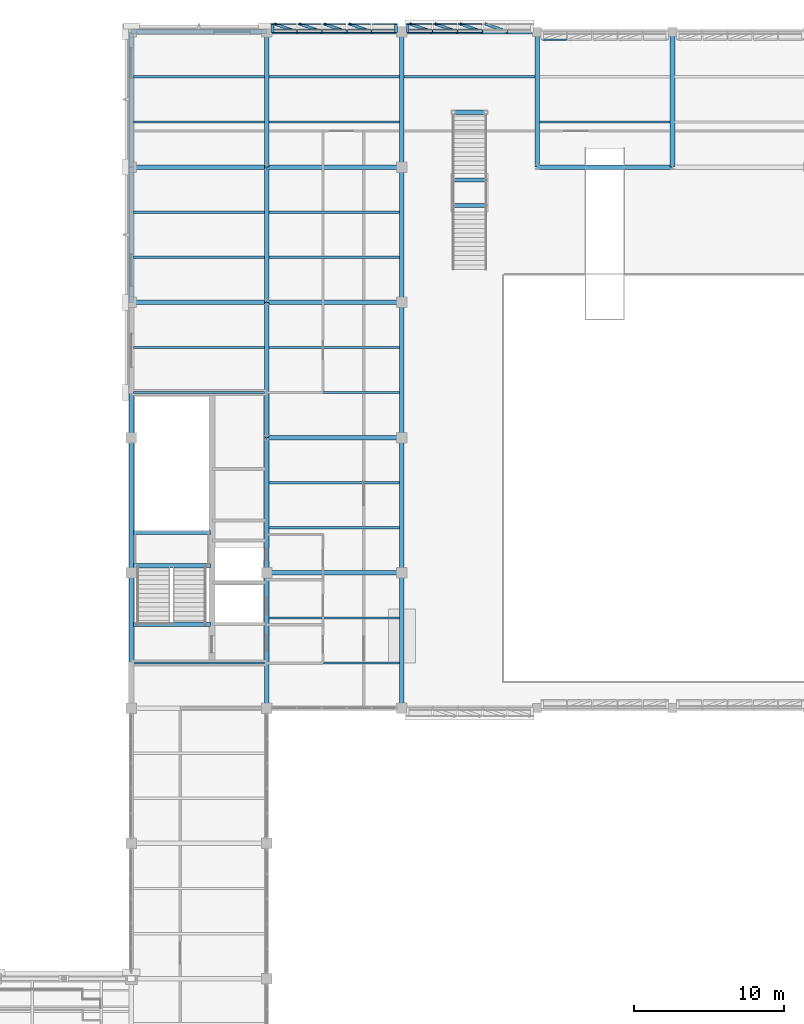
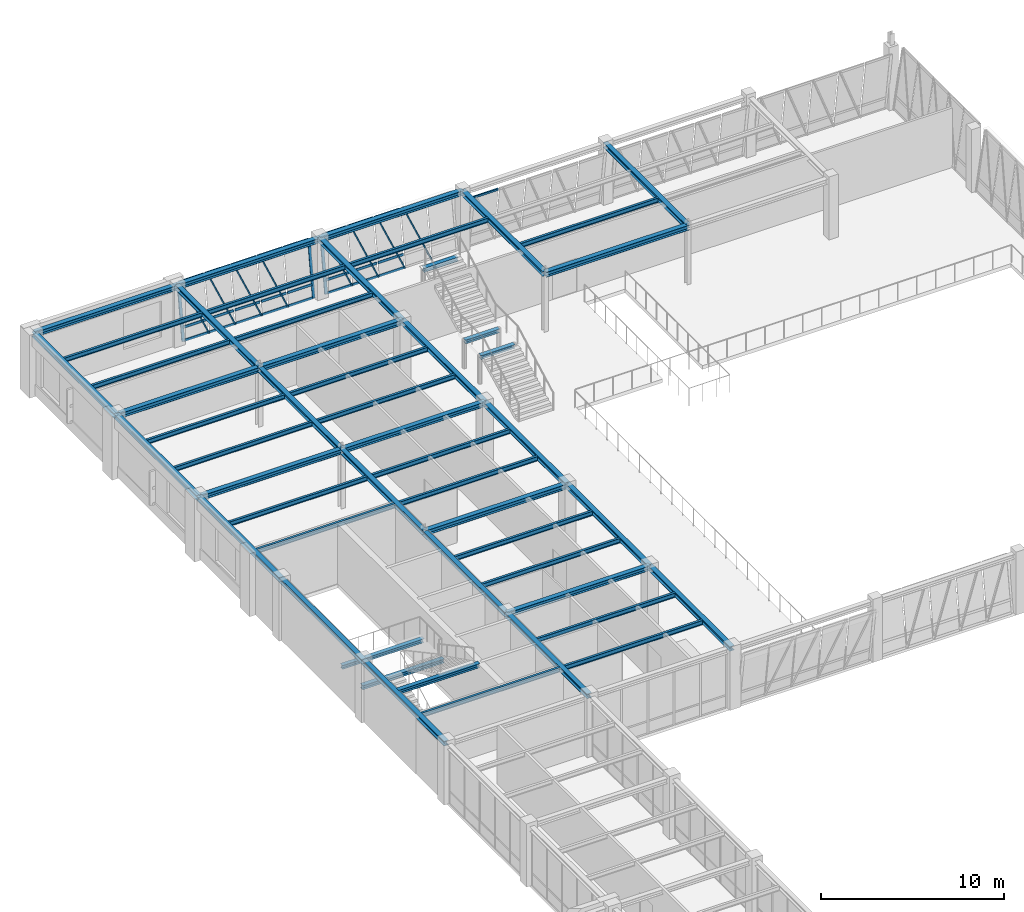
# One storey, part 62 of 108: 52 beams, 36 members, 3 elements without a shape of their own.
"""IFC4 building model written with IfcOpenShell, lengths in metres."""

import ifcopenshell
import ifcopenshell.guid

model = None  # the IFC model being written
_history = None  # IfcOwnerHistory: only IFC2X3 demands one
_inside = {}  # id of a spatial element -> (the spatial element, [elements in it])
_under = {}  # id of a project, library or spatial element -> (it, [spatial elements below it])
_declared = {}  # id of a project -> (the project, [libraries it declares])
_typed = {}  # id of a type object -> (the type object, [elements of that type])
_made_of = {}  # id of a material, layer set ... -> (it, [elements and type objects made of it])


def new_model(schema):
    """Start an empty IFC model of exactly this schema.

    Asked for "IFC4X3", IfcOpenShell would pick the latest addendum, in which some entities
    have other attributes; the version numbers below select the first issue.
    IFC2X3 requires an IfcOwnerHistory on every rooted entity: one is made here for all.
    """
    global model, _history
    if schema == "IFC4X3":
        model = ifcopenshell.file(schema_version=(4, 3, 0, 0))
    else:
        model = ifcopenshell.file(schema=schema)
    _inside.clear()
    _under.clear()
    _declared.clear()
    _typed.clear()
    _made_of.clear()
    _history = None
    if model.schema == "IFC2X3":
        org = make("IfcOrganization", Name="unknown")
        user = make(
            "IfcPersonAndOrganization",
            ThePerson=make("IfcPerson", FamilyName="unknown"),
            TheOrganization=org,
        )
        app = make(
            "IfcApplication",
            ApplicationDeveloper=org,
            Version="unknown",
            ApplicationFullName="unknown",
            ApplicationIdentifier="unknown",
        )
        _history = make(
            "IfcOwnerHistory",
            OwningUser=user,
            OwningApplication=app,
            ChangeAction="ADDED",
            CreationDate=0,
        )
    return model


def make(cls, **values):
    """One entity of the class cls with the attributes given. An attribute that is None is left unset."""
    return model.create_entity(
        cls, **{name: value for name, value in values.items() if value is not None}
    )


def rooted(cls, **values):
    """An entity with a GlobalId (a new one), such as an element, a storey or a relation."""
    return make(cls, GlobalId=ifcopenshell.guid.new(), OwnerHistory=_history, **values)


def si_unit(unit_type, name, prefix=None):
    """IfcSIUnit, for example si_unit("LENGTHUNIT", "METRE", prefix="MILLI")."""
    return make("IfcSIUnit", UnitType=unit_type, Prefix=prefix, Name=name)


def assignment(units):
    """IfcUnitAssignment: the units of a project."""
    return None if units is None else make("IfcUnitAssignment", Units=units)


def point(xyz):
    """IfcCartesianPoint."""
    return None if xyz is None else make("IfcCartesianPoint", Coordinates=xyz)


def direction(xyz):
    """IfcDirection."""
    return None if xyz is None else make("IfcDirection", DirectionRatios=xyz)


def frame(location, z_axis=None, x_axis=None):
    """IfcAxis2Placement3D, a coordinate frame: its origin and axes. An axis left out is left unset."""
    return make(
        "IfcAxis2Placement3D",
        Location=point(location),
        Axis=direction(z_axis),
        RefDirection=direction(x_axis),
    )


def frame_2d(location, x_axis=None):
    """IfcAxis2Placement2D, a coordinate frame in the plane: its origin and x axis."""
    return make(
        "IfcAxis2Placement2D", Location=point(location), RefDirection=direction(x_axis)
    )


def origin():
    """The frame at (0, 0, 0) with its axes left unset."""
    return frame((0.0, 0.0, 0.0))


def origin_2d():
    """The frame at (0, 0) in the plane with its x axis left unset."""
    return frame_2d((0.0, 0.0))


def place(relative_to, where):
    """IfcLocalPlacement: puts the frame where relative to a parent placement (None: the world)."""
    return make(
        "IfcLocalPlacement", PlacementRelTo=relative_to, RelativePlacement=where
    )


def context(
    kind, dimensions, precision=None, world=None, true_north=None, identifier=None
):
    """IfcGeometricRepresentationContext, for example the 3D "Model" context."""
    return make(
        "IfcGeometricRepresentationContext",
        ContextIdentifier=identifier,
        ContextType=kind,
        CoordinateSpaceDimension=dimensions,
        Precision=precision,
        WorldCoordinateSystem=world,
        TrueNorth=true_north,
    )


def subcontext(parent, identifier, kind, view, scale=None):
    """IfcGeometricRepresentationSubContext, for example "Body" below "Model"."""
    return make(
        "IfcGeometricRepresentationSubContext",
        ContextIdentifier=identifier,
        ContextType=kind,
        ParentContext=parent,
        TargetScale=scale,
        TargetView=view,
    )


def project(units=None, contexts=None):
    """IfcProject with its units and contexts."""
    return rooted(
        "IfcProject",
        Name="project",
        RepresentationContexts=contexts,
        UnitsInContext=assignment(units),
    )


def spatial(cls, under=None, at=None, **own):
    """A site, building, storey or space (cls), placed at a placement, below another one or the project."""
    s = rooted(cls, ObjectPlacement=at, **own)
    if under is not None:
        _under.setdefault(under.id(), (under, []))[1].append(s)
    return s


def profile(cls, at=None, kind="AREA", **sizes):
    """A parametric profile (cls). Its sizes go by their IFC names, for example OverallWidth=200.0."""
    return make(cls, ProfileType=kind, Position=at, **sizes)


def hollow_rectangle(**sizes):
    """IfcRectangleHollowProfileDef."""
    return profile("IfcRectangleHollowProfileDef", **sizes)


def i_section(**sizes):
    """IfcIShapeProfileDef."""
    return profile("IfcIShapeProfileDef", **sizes)


def extrude(swept, where, along, depth):
    """IfcExtrudedAreaSolid: the profile swept, set in the frame where, extruded along a direction by depth."""
    return make(
        "IfcExtrudedAreaSolid",
        SweptArea=swept,
        Position=where,
        ExtrudedDirection=direction(along),
        Depth=depth,
    )


def shape(context_of_items, identifier, shape_type, items):
    """IfcShapeRepresentation: the items that make up one representation, for example the "Body"."""
    return make(
        "IfcShapeRepresentation",
        ContextOfItems=context_of_items,
        RepresentationIdentifier=identifier,
        RepresentationType=shape_type,
        Items=items,
    )


def material(Name=None, Category=None):
    """IfcMaterial."""
    return make("IfcMaterial", Name=Name, Category=Category)


def material_profile(
    of_material, cross_section, Name=None, Category=None, Priority=None
):
    """IfcMaterialProfile: a cross section and its material."""
    return make(
        "IfcMaterialProfile",
        Name=Name,
        Material=of_material,
        Profile=cross_section,
        Priority=Priority,
        Category=Category,
    )


def profile_set(profiles, Name=None, composite=None):
    """IfcMaterialProfileSet."""
    return make(
        "IfcMaterialProfileSet",
        Name=Name,
        MaterialProfiles=profiles,
        CompositeProfile=composite,
    )


def made_of(thing, what):
    """Note that an element or type object is made of a material, layer set ...; save() writes the relation."""
    if what is not None:
        _made_of.setdefault(what.id(), (what, []))[1].append(thing)
    return thing


def type_object(cls, material=None, **own):
    """A type object (cls), such as IfcWallType, which elements share."""
    return made_of(rooted(cls, **own), material)


def element(
    cls,
    number,
    at=None,
    inside=None,
    cuts=None,
    type_object=None,
    material=None,
    context=None,
    identifier="Body",
    shape_type=None,
    held_by="IfcProductDefinitionShape",
    body=None,
    shapes=None,
    **own,
):
    """One element of the class cls, such as IfcWall. Its Tag is "e" and its number.

    at: its placement. inside: the storey or other place that contains it. cuts: it is an
    opening in that element (IfcRelVoidsElement). A single representation is given by context,
    identifier, shape_type and body (its items); several are given by shapes. held_by: the class
    of the entity that holds the representations. save() writes the other relations.
    """
    e = rooted(cls, Tag="e%d" % number, ObjectPlacement=at, **own)
    if body is not None:
        shapes = [shape(context, identifier, shape_type, body)]
    if shapes is not None:
        e.Representation = make(held_by, Representations=shapes)
    if inside is not None:
        _inside.setdefault(inside.id(), (inside, []))[1].append(e)
    if cuts is not None:
        rooted(
            "IfcRelVoidsElement", RelatingBuildingElement=cuts, RelatedOpeningElement=e
        )
    if type_object is not None:
        _typed.setdefault(type_object.id(), (type_object, []))[1].append(e)
    return made_of(e, material)


def aggregate(whole, parts):
    """IfcRelAggregates: a whole, such as a stair, and the parts it consists of."""
    return rooted("IfcRelAggregates", RelatingObject=whole, RelatedObjects=parts)


def save(model, path):
    """Write the relations noted so far, then the file.

    IfcRelAggregates (storeys below a building ...), IfcRelContainedInSpatialStructure (elements
    in a storey), IfcRelDefinesByType, IfcRelAssociatesMaterial and IfcRelDeclares: one each for
    every whole, place, type object, material and project.
    """
    for whole, parts in _under.values():
        aggregate(whole, parts)
    for where, things in _inside.values():
        rooted(
            "IfcRelContainedInSpatialStructure",
            RelatedElements=things,
            RelatingStructure=where,
        )
    for kind, things in _typed.values():
        rooted("IfcRelDefinesByType", RelatedObjects=things, RelatingType=kind)
    for what, things in _made_of.values():
        rooted("IfcRelAssociatesMaterial", RelatedObjects=things, RelatingMaterial=what)
    for by, libraries in _declared.values():
        rooted("IfcRelDeclares", RelatingContext=by, RelatedDefinitions=libraries)
    model.write(path)


model = new_model("IFC4")

# Units and contexts
model_context = context("Model", 3, precision=1e-05, world=origin(), true_north=direction((0.0, 1.0)))
body_context = subcontext(model_context, "Body", "Model", "MODEL_VIEW")
ifc_project = project(units=[si_unit("LENGTHUNIT", "METRE"), si_unit("AREAUNIT", "SQUARE_METRE"), si_unit("VOLUMEUNIT", "CUBIC_METRE"), si_unit("PLANEANGLEUNIT", "RADIAN"), si_unit("MASSUNIT", "GRAM", prefix="KILO")], contexts=[model_context])

# Site, building, storey
site_placement = place(None, origin())
site = spatial("IfcSite", under=ifc_project, at=site_placement, CompositionType="ELEMENT")
building_placement = place(site_placement, origin())
building = spatial("IfcBuilding", under=site, at=building_placement, Name="Lykobir Media Centre", CompositionType="ELEMENT")
storey_placement = place(building_placement, frame((0.0, 0.0, 15.0)))
storey = spatial("IfcBuildingStorey", under=building, at=storey_placement, Name="L03", CompositionType="ELEMENT", Elevation=15.0)

# Beams
ifc_material_1 = material(Name="Steel S355", Category="steel")
ifc_material_profile_1 = material_profile(ifc_material_1, i_section(OverallWidth=0.300048828125, OverallDepth=0.31005859375, WebThickness=0.009033203125, FlangeThickness=0.015380859375, at=origin_2d()), Name="HEA 320")
ifc_profile_set_1 = profile_set([ifc_material_profile_1], Name="Steel S355")
beam_type_1 = type_object("IfcBeamType", Name="BM-HEA320", PredefinedType="BEAM", material=ifc_profile_set_1)
for number, where, z_axis, x_axis, name in (
    (1, (36.0, 63.0, 3.804931640625), (0.0, 1.0, 0.0), (-1.0, 0.0, 0.0), "Beam BM-L03-0360-0630-0360-0720-1880"),
    (2, (36.0, 72.0, 3.804931640625), (0.0, 1.0, 0.0), (-1.0, 0.0, 0.0), "Beam BM-L03-0360-0720-0360-0810-1880"),
    (3, (36.0, 81.0, 3.804931640625), (0.0, 1.0, 0.0), (-1.0, 0.0, 0.0), "Beam BM-L03-0360-0810-0360-0900-1880"),
    (4, (36.0, 90.0, 3.804931640625), (0.0, 1.0, 0.0), (-1.0, 0.0, 0.0), "Beam BM-L03-0360-0900-0360-0990-1880"),
    (5, (36.0, 99.0, 3.804931640625), (0.0, 1.0, 0.0), (-1.0, 0.0, 0.0), "Beam BM-L03-0360-0990-0360-1080-1880"),
    (6, (45.0, 63.0, 3.804931640625), (0.0, 1.0, 0.0), (-1.0, 0.0, 0.0), "Beam BM-L03-0450-0630-0450-0720-1880"),
    (7, (45.0, 72.0, 3.804931640625), (0.0, 1.0, 0.0), (-1.0, 0.0, 0.0), "Beam BM-L03-0450-0720-0450-0810-1880"),
    (8, (45.0, 81.0, 3.804931640625), (0.0, 1.0, 0.0), (-1.0, 0.0, 0.0), "Beam BM-L03-0450-0810-0450-0900-1880"),
    (9, (45.0, 90.0, 3.804931640625), (0.0, 1.0, 0.0), (-1.0, 0.0, 0.0), "Beam BM-L03-0450-0900-0450-0990-1880"),
    (10, (45.0, 99.0, 3.804931640625), (0.0, 1.0, 0.0), (-1.0, 0.0, 0.0), "Beam BM-L03-0450-0990-0450-1080-1880"),
    (11, (54.0, 99.0, 3.804931640625), (0.0, 1.0, 0.0), (-1.0, 0.0, 0.0), "Beam BM-L03-0540-0990-0540-1080-1880"),
    (12, (63.0, 99.0, 3.804931640625), (0.0, 1.0, 0.0), (-1.0, 0.0, 0.0), "Beam BM-L03-0630-0990-0630-1080-1880"),
):
    element("IfcBeam", number, at=place(storey_placement, frame(where, z_axis=z_axis, x_axis=x_axis)), inside=storey, type_object=beam_type_1, Name=name, PredefinedType="BEAM", context=body_context, shape_type="SweptSolid", body=[
        extrude(i_section(OverallWidth=0.300048828125, OverallDepth=0.31005859375, WebThickness=0.009033203125, FlangeThickness=0.015380859375, at=origin_2d()), origin(), (0.0, 0.0, 1.0), 9.0),
    ])
ifc_material_profile_2 = material_profile(ifc_material_1, i_section(OverallWidth=0.300048828125, OverallDepth=0.330078125, WebThickness=0.009521484375, FlangeThickness=0.0166015625, at=origin_2d()), Name="HEA 340")
ifc_profile_set_2 = profile_set([ifc_material_profile_2], Name="Steel S355")
beam_type_2 = type_object("IfcBeamType", Name="BM-HEA340", PredefinedType="BEAM", material=ifc_profile_set_2)
for number, where, z_axis, x_axis, name in (
    (13, (36.0, 81.0, 3.794921875), (1.0, 0.0, 0.0), (0.0, 1.0, 0.0), "Beam BM-L03-0360-0810-0450-0810-1880"),
    (14, (27.0, 99.0, 3.794921875), (1.0, 0.0, 0.0), (0.0, 1.0, 0.0), "Beam BM-L03-0270-0990-0360-0990-1880"),
    (15, (36.0, 99.0, 3.794921875), (1.0, 0.0, 0.0), (0.0, 1.0, 0.0), "Beam BM-L03-0360-0990-0450-0990-1880"),
    (16, (54.0, 99.0, 3.794921875), (1.0, 0.0, 0.0), (0.0, 1.0, 0.0), "Beam BM-L03-0540-0990-0630-0990-1880"),
):
    element("IfcBeam", number, at=place(storey_placement, frame(where, z_axis=z_axis, x_axis=x_axis)), inside=storey, type_object=beam_type_2, Name=name, PredefinedType="BEAM", context=body_context, shape_type="SweptSolid", body=[
        extrude(i_section(OverallWidth=0.300048828125, OverallDepth=0.330078125, WebThickness=0.009521484375, FlangeThickness=0.0166015625, at=origin_2d()), origin(), (0.0, 0.0, 1.0), 9.0),
    ])
ifc_material_profile_3 = material_profile(ifc_material_1, i_section(OverallWidth=0.260009765625, OverallDepth=0.25, WebThickness=0.007568359375, FlangeThickness=0.012451171875, at=origin_2d()), Name="HEA 260")
ifc_profile_set_3 = profile_set([ifc_material_profile_3], Name="Steel S355")
beam_type_3 = type_object("IfcBeamType", Name="BM-ST260", PredefinedType="BEAM", material=ifc_profile_set_3)
beam_1_placement = place(storey_placement, frame((27.1298828125, 74.679931640625, 1.780029296875), z_axis=(1.0, 0.0, 0.0), x_axis=(0.0, 1.0, 0.0)))
element("IfcBeam", 17, at=beam_1_placement, inside=storey, type_object=beam_type_3, Name="ST-3 L03 half-landing support beam", PredefinedType="BEAM", context=body_context, shape_type="SweptSolid", body=[
    extrude(i_section(OverallWidth=0.260009765625, OverallDepth=0.25, WebThickness=0.007568359375, FlangeThickness=0.012451171875, at=origin_2d()), origin(), (0.0, 0.0, 1.0), 5.14013671875),
])
for number, where, z_axis, x_axis, name in (
    (18, (48.425048828125, 96.449951171875, 1.77001953125), (1.0, 0.0, 0.0), (0.0, 1.0, 0.0), "Valley stair landing beam 4"),
    (19, (48.425048828125, 98.14990234375, 1.77001953125), (1.0, 0.0, 0.0), (0.0, 1.0, 0.0), "Valley stair landing beam 4"),
):
    element("IfcBeam", number, at=place(storey_placement, frame(where, z_axis=z_axis, x_axis=x_axis)), inside=storey, type_object=beam_type_3, Name=name, PredefinedType="BEAM", context=body_context, shape_type="SweptSolid", body=[
        extrude(i_section(OverallWidth=0.260009765625, OverallDepth=0.25, WebThickness=0.007568359375, FlangeThickness=0.012451171875, at=origin_2d()), origin(), (0.0, 0.0, 1.0), 2.14990234375),
    ])
ifc_material_profile_4 = material_profile(ifc_material_1, i_section(OverallWidth=0.280029296875, OverallDepth=0.27001953125, WebThickness=0.008056640625, FlangeThickness=0.012939453125, at=origin_2d()), Name="HEA 280")
ifc_profile_set_4 = profile_set([ifc_material_profile_4], Name="Steel S355")
beam_type_4 = type_object("IfcBeamType", Name="BM-ST280", PredefinedType="BEAM", material=ifc_profile_set_4)
for number, where, z_axis, x_axis, name in (
    (20, (27.1298828125, 68.580078125, 3.824951171875), (1.0, 0.0, 0.0), (0.0, 1.0, 0.0), "ST-3 L03 arrival trimmer beam"),
    (21, (27.1298828125, 72.47998046875, 1.77001953125), (1.0, 0.0, 0.0), (0.0, 1.0, 0.0), "ST-3 L03 mid-landing trimmer beam"),
):
    element("IfcBeam", number, at=place(storey_placement, frame(where, z_axis=z_axis, x_axis=x_axis)), inside=storey, type_object=beam_type_4, Name=name, PredefinedType="BEAM", context=body_context, shape_type="SweptSolid", body=[
        extrude(i_section(OverallWidth=0.280029296875, OverallDepth=0.27001953125, WebThickness=0.008056640625, FlangeThickness=0.012939453125, at=origin_2d()), origin(), (0.0, 0.0, 1.0), 5.14013671875),
    ])
beam_2_placement = place(storey_placement, frame((48.425048828125, 102.64990234375, 3.824951171875), z_axis=(1.0, 0.0, 0.0), x_axis=(0.0, 1.0, 0.0)))
element("IfcBeam", 22, at=beam_2_placement, inside=storey, type_object=beam_type_4, Name="Valley terrace edge trimmer 4", PredefinedType="BEAM", context=body_context, shape_type="SweptSolid", body=[
    extrude(i_section(OverallWidth=0.280029296875, OverallDepth=0.27001953125, WebThickness=0.008056640625, FlangeThickness=0.012939453125, at=origin_2d()), origin(), (0.0, 0.0, 1.0), 2.14990234375),
])

# Curtain wall, members
ifc_material_2 = material(Name="Anodized Aluminium AW-6060", Category="aluminium")
curtain_wall_type = type_object("IfcCurtainWallType", Name="CW-V6-CR3", PredefinedType="NOTDEFINED", material=ifc_material_2)
curtain_wall_1_placement = place(storey_placement, origin())
curtain_wall_1 = element("IfcCurtainWall", 23, at=curtain_wall_1_placement, inside=storey, type_object=curtain_wall_type, Name="Curtain wall CW2-L03-0130", PredefinedType="NOTDEFINED")
ifc_material_profile_5 = material_profile(ifc_material_2, hollow_rectangle(XDim=0.074951171875, YDim=0.179931640625, WallThickness=0.00390625, at=origin_2d()), Name="ALU MULLION 75x180")
ifc_profile_set_5 = profile_set([ifc_material_profile_5], Name="Anodized Aluminium AW-6060")
member_type_1 = type_object("IfcMemberType", Name="CWM-180", PredefinedType="MULLION", material=ifc_profile_set_5)
member_1_placement = place(storey_placement, frame((44.607421875, 108.0, 0.0), z_axis=(0.0, 0.142593917485, 0.98978127619), x_axis=(0.0, 0.98978127619, -0.142593917485)))
member_1 = element("IfcMember", 24, at=member_1_placement, type_object=member_type_1, Name="CW2-L03-0130 mullion 1", PredefinedType="MULLION", context=body_context, shape_type="SweptSolid", body=[
    extrude(hollow_rectangle(XDim=0.074951171875, YDim=0.179931640625, WallThickness=0.00390625, at=origin_2d()), origin(), (0.0, 0.0, 1.0), 3.672607421875),
])
member_2_placement = place(storey_placement, frame((42.987060546875, 108.0, 0.0), z_axis=(-0.374625015426, 0.132209716698, 0.917701851708), x_axis=(-0.865391860701, 0.305407295361, -0.397269821875)))
member_2 = element("IfcMember", 25, at=member_2_placement, type_object=member_type_1, Name="CW2-L03-0130 mullion 2", PredefinedType="MULLION", context=body_context, shape_type="SweptSolid", body=[
    extrude(hollow_rectangle(XDim=0.074951171875, YDim=0.179931640625, WallThickness=0.00390625, at=origin_2d()), origin(), (0.0, 0.0, 1.0), 3.9609375),
])
member_3_placement = place(storey_placement, frame((41.3291015625, 108.0, 0.0), z_axis=(-0.374625015426, 0.132209716698, 0.917701851708), x_axis=(-0.865391860701, 0.305407295361, -0.397269821875)))
member_3 = element("IfcMember", 26, at=member_3_placement, type_object=member_type_1, Name="CW2-L03-0130 mullion 3", PredefinedType="MULLION", context=body_context, shape_type="SweptSolid", body=[
    extrude(hollow_rectangle(XDim=0.074951171875, YDim=0.179931640625, WallThickness=0.00390625, at=origin_2d()), origin(), (0.0, 0.0, 1.0), 3.9609375),
])
member_4_placement = place(storey_placement, frame((39.6708984375, 108.0, 0.0), z_axis=(-0.374572027629, 0.132212769337, 0.917723040869), x_axis=(-0.865396069103, 0.305459037062, -0.397220870874)))
member_4 = element("IfcMember", 27, at=member_4_placement, type_object=member_type_1, Name="CW2-L03-0130 mullion 4", PredefinedType="MULLION", context=body_context, shape_type="SweptSolid", body=[
    extrude(hollow_rectangle(XDim=0.074951171875, YDim=0.179931640625, WallThickness=0.00390625, at=origin_2d()), origin(), (0.0, 0.0, 1.0), 3.9609375),
])
member_5_placement = place(storey_placement, frame((38.012939453125, 108.0, 0.0), z_axis=(-0.374572027629, 0.132212769337, 0.917723040869), x_axis=(-0.865396069103, 0.305459037062, -0.397220870874)))
member_5 = element("IfcMember", 28, at=member_5_placement, type_object=member_type_1, Name="CW2-L03-0130 mullion 5", PredefinedType="MULLION", context=body_context, shape_type="SweptSolid", body=[
    extrude(hollow_rectangle(XDim=0.074951171875, YDim=0.179931640625, WallThickness=0.00390625, at=origin_2d()), origin(), (0.0, 0.0, 1.0), 3.9609375),
])
member_6_placement = place(storey_placement, frame((36.392578125, 108.0, 0.0), z_axis=(0.0, 0.142593917485, 0.98978127619), x_axis=(0.0, 0.98978127619, -0.142593917485)))
member_6 = element("IfcMember", 29, at=member_6_placement, type_object=member_type_1, Name="CW2-L03-0130 mullion 6", PredefinedType="MULLION", context=body_context, shape_type="SweptSolid", body=[
    extrude(hollow_rectangle(XDim=0.074951171875, YDim=0.179931640625, WallThickness=0.00390625, at=origin_2d()), origin(), (0.0, 0.0, 1.0), 3.672607421875),
])

curtain_wall_2_placement = place(storey_placement, origin())
curtain_wall_2 = element("IfcCurtainWall", 30, at=curtain_wall_2_placement, inside=storey, type_object=curtain_wall_type, Name="Curtain wall CW2-L03-0131", PredefinedType="NOTDEFINED")
member_7_placement = place(storey_placement, frame((52.027099609375, 108.0, 0.0), z_axis=(-0.374625015426, 0.132209716698, 0.917701851708), x_axis=(-0.865391860701, 0.305407295361, -0.397269821875)))
member_7 = element("IfcMember", 31, at=member_7_placement, type_object=member_type_1, Name="CW2-L03-0131 mullion 2", PredefinedType="MULLION", context=body_context, shape_type="SweptSolid", body=[
    extrude(hollow_rectangle(XDim=0.074951171875, YDim=0.179931640625, WallThickness=0.00390625, at=origin_2d()), origin(), (0.0, 0.0, 1.0), 3.9609375),
])
member_8_placement = place(storey_placement, frame((50.35888671875, 108.0, 0.0), z_axis=(-0.374572027629, 0.132212769337, 0.917723040869), x_axis=(-0.865396069103, 0.305459037062, -0.397220870874)))
member_8 = element("IfcMember", 32, at=member_8_placement, type_object=member_type_1, Name="CW2-L03-0131 mullion 3", PredefinedType="MULLION", context=body_context, shape_type="SweptSolid", body=[
    extrude(hollow_rectangle(XDim=0.074951171875, YDim=0.179931640625, WallThickness=0.00390625, at=origin_2d()), origin(), (0.0, 0.0, 1.0), 3.9609375),
])
member_9_placement = place(storey_placement, frame((48.69091796875, 108.0, 0.0), z_axis=(-0.374572027629, 0.132212769337, 0.917723040869), x_axis=(-0.865396069103, 0.305459037062, -0.397220870874)))
member_9 = element("IfcMember", 33, at=member_9_placement, type_object=member_type_1, Name="CW2-L03-0131 mullion 4", PredefinedType="MULLION", context=body_context, shape_type="SweptSolid", body=[
    extrude(hollow_rectangle(XDim=0.074951171875, YDim=0.179931640625, WallThickness=0.00390625, at=origin_2d()), origin(), (0.0, 0.0, 1.0), 3.9609375),
])
member_10_placement = place(storey_placement, frame((47.02294921875, 108.0, 0.0), z_axis=(-0.374572027629, 0.132212769337, 0.917723040869), x_axis=(-0.865396069103, 0.305459037062, -0.397220870874)))
member_10 = element("IfcMember", 34, at=member_10_placement, type_object=member_type_1, Name="CW2-L03-0131 mullion 5", PredefinedType="MULLION", context=body_context, shape_type="SweptSolid", body=[
    extrude(hollow_rectangle(XDim=0.074951171875, YDim=0.179931640625, WallThickness=0.00390625, at=origin_2d()), origin(), (0.0, 0.0, 1.0), 3.9609375),
])
member_11_placement = place(storey_placement, frame((45.392578125, 108.0, 0.0), z_axis=(0.0, 0.142593917485, 0.98978127619), x_axis=(0.0, 0.98978127619, -0.142593917485)))
member_11 = element("IfcMember", 35, at=member_11_placement, type_object=member_type_1, Name="CW2-L03-0131 mullion 6", PredefinedType="MULLION", context=body_context, shape_type="SweptSolid", body=[
    extrude(hollow_rectangle(XDim=0.074951171875, YDim=0.179931640625, WallThickness=0.00390625, at=origin_2d()), origin(), (0.0, 0.0, 1.0), 3.672607421875),
])

# Member
ifc_material_profile_6 = material_profile(ifc_material_2, hollow_rectangle(XDim=0.074951171875, YDim=0.14990234375, WallThickness=0.00341796875, at=origin_2d()), Name="ALU TRANSOM 75x150")
ifc_profile_set_6 = profile_set([ifc_material_profile_6], Name="Anodized Aluminium AW-6060")
member_type_2 = type_object("IfcMemberType", Name="CWT-150", PredefinedType="USERDEFINED", material=ifc_profile_set_6)
member_12_placement = place(storey_placement, frame((44.570068359375, 108.00537109375, 0.037109375), z_axis=(-1.0, 0.0, 0.0), x_axis=(0.0, -0.989776230908, 0.142628933706)))
member_12 = element("IfcMember", 36, at=member_12_placement, type_object=member_type_2, Name="CW2-L03-0130 transom 1.1", ObjectType="TRANSOM", PredefinedType="USERDEFINED", context=body_context, shape_type="SweptSolid", body=[
    extrude(hollow_rectangle(XDim=0.074951171875, YDim=0.14990234375, WallThickness=0.00341796875, at=origin_2d()), origin(), (0.0, 0.0, 1.0), 1.545654296875),
])

member_13_placement = place(storey_placement, frame((44.570068359375, 108.12109375, 0.84130859375), z_axis=(-1.0, 0.0, 0.0), x_axis=(0.0, -0.989776230908, 0.142628933706)))
member_13 = element("IfcMember", 37, at=member_13_placement, type_object=member_type_2, Name="CW2-L03-0130 transom 1.2", ObjectType="TRANSOM", PredefinedType="USERDEFINED", context=body_context, shape_type="SweptSolid", body=[
    extrude(hollow_rectangle(XDim=0.074951171875, YDim=0.14990234375, WallThickness=0.00341796875, at=origin_2d()), origin(), (0.0, 0.0, 1.0), 1.545654296875),
])

member_14_placement = place(storey_placement, frame((44.570068359375, 108.5185546875, 3.597900390625), z_axis=(-1.0, 0.0, 0.0), x_axis=(0.0, -0.989776230908, 0.142628933706)))
member_14 = element("IfcMember", 38, at=member_14_placement, type_object=member_type_2, Name="CW2-L03-0130 transom 1.3", ObjectType="TRANSOM", PredefinedType="USERDEFINED", context=body_context, shape_type="SweptSolid", body=[
    extrude(hollow_rectangle(XDim=0.074951171875, YDim=0.14990234375, WallThickness=0.00341796875, at=origin_2d()), origin(), (0.0, 0.0, 1.0), 1.545654296875),
])

member_15_placement = place(storey_placement, frame((42.949462890625, 108.00537109375, 0.037109375), z_axis=(-1.0, 0.0, 0.0), x_axis=(0.0, -0.989776230908, 0.142628933706)))
member_15 = element("IfcMember", 39, at=member_15_placement, type_object=member_type_2, Name="CW2-L03-0130 transom 2.1", ObjectType="TRANSOM", PredefinedType="USERDEFINED", context=body_context, shape_type="SweptSolid", body=[
    extrude(hollow_rectangle(XDim=0.074951171875, YDim=0.14990234375, WallThickness=0.00341796875, at=origin_2d()), origin(), (0.0, 0.0, 1.0), 1.5830078125),
])

member_16_placement = place(storey_placement, frame((42.949462890625, 108.12109375, 0.84130859375), z_axis=(-1.0, 0.0, 0.0), x_axis=(0.0, -0.989776230908, 0.142628933706)))
member_16 = element("IfcMember", 40, at=member_16_placement, type_object=member_type_2, Name="CW2-L03-0130 transom 2.2", ObjectType="TRANSOM", PredefinedType="USERDEFINED", context=body_context, shape_type="SweptSolid", body=[
    extrude(hollow_rectangle(XDim=0.074951171875, YDim=0.14990234375, WallThickness=0.00341796875, at=origin_2d()), origin(), (0.0, 0.0, 1.0), 1.5830078125),
])

member_17_placement = place(storey_placement, frame((42.949462890625, 108.5185546875, 3.597900390625), z_axis=(-1.0, 0.0, 0.0), x_axis=(0.0, -0.989776230908, 0.142628933706)))
member_17 = element("IfcMember", 41, at=member_17_placement, type_object=member_type_2, Name="CW2-L03-0130 transom 2.3", ObjectType="TRANSOM", PredefinedType="USERDEFINED", context=body_context, shape_type="SweptSolid", body=[
    extrude(hollow_rectangle(XDim=0.074951171875, YDim=0.14990234375, WallThickness=0.00341796875, at=origin_2d()), origin(), (0.0, 0.0, 1.0), 1.5830078125),
])

member_18_placement = place(storey_placement, frame((41.29150390625, 108.00537109375, 0.037109375), z_axis=(-1.0, 0.0, 0.0), x_axis=(0.0, -0.989776230908, 0.142628933706)))
member_18 = element("IfcMember", 42, at=member_18_placement, type_object=member_type_2, Name="CW2-L03-0130 transom 3.1", ObjectType="TRANSOM", PredefinedType="USERDEFINED", context=body_context, shape_type="SweptSolid", body=[
    extrude(hollow_rectangle(XDim=0.074951171875, YDim=0.14990234375, WallThickness=0.00341796875, at=origin_2d()), origin(), (0.0, 0.0, 1.0), 1.5830078125),
])

member_19_placement = place(storey_placement, frame((41.29150390625, 108.12109375, 0.84130859375), z_axis=(-1.0, 0.0, 0.0), x_axis=(0.0, -0.989776230908, 0.142628933706)))
member_19 = element("IfcMember", 43, at=member_19_placement, type_object=member_type_2, Name="CW2-L03-0130 transom 3.2", ObjectType="TRANSOM", PredefinedType="USERDEFINED", context=body_context, shape_type="SweptSolid", body=[
    extrude(hollow_rectangle(XDim=0.074951171875, YDim=0.14990234375, WallThickness=0.00341796875, at=origin_2d()), origin(), (0.0, 0.0, 1.0), 1.5830078125),
])

member_20_placement = place(storey_placement, frame((41.29150390625, 108.5185546875, 3.597900390625), z_axis=(-1.0, 0.0, 0.0), x_axis=(0.0, -0.989776230908, 0.142628933706)))
member_20 = element("IfcMember", 44, at=member_20_placement, type_object=member_type_2, Name="CW2-L03-0130 transom 3.3", ObjectType="TRANSOM", PredefinedType="USERDEFINED", context=body_context, shape_type="SweptSolid", body=[
    extrude(hollow_rectangle(XDim=0.074951171875, YDim=0.14990234375, WallThickness=0.00341796875, at=origin_2d()), origin(), (0.0, 0.0, 1.0), 1.5830078125),
])

member_21_placement = place(storey_placement, frame((39.633544921875, 108.00537109375, 0.037109375), z_axis=(-1.0, 0.0, 0.0), x_axis=(0.0, -0.989776230908, 0.142628933706)))
member_21 = element("IfcMember", 45, at=member_21_placement, type_object=member_type_2, Name="CW2-L03-0130 transom 4.1", ObjectType="TRANSOM", PredefinedType="USERDEFINED", context=body_context, shape_type="SweptSolid", body=[
    extrude(hollow_rectangle(XDim=0.074951171875, YDim=0.14990234375, WallThickness=0.00341796875, at=origin_2d()), origin(), (0.0, 0.0, 1.0), 1.5830078125),
])

member_22_placement = place(storey_placement, frame((39.633544921875, 108.12109375, 0.84130859375), z_axis=(-1.0, 0.0, 0.0), x_axis=(0.0, -0.989776230908, 0.142628933706)))
member_22 = element("IfcMember", 46, at=member_22_placement, type_object=member_type_2, Name="CW2-L03-0130 transom 4.2", ObjectType="TRANSOM", PredefinedType="USERDEFINED", context=body_context, shape_type="SweptSolid", body=[
    extrude(hollow_rectangle(XDim=0.074951171875, YDim=0.14990234375, WallThickness=0.00341796875, at=origin_2d()), origin(), (0.0, 0.0, 1.0), 1.5830078125),
])

member_23_placement = place(storey_placement, frame((39.633544921875, 108.5185546875, 3.597900390625), z_axis=(-1.0, 0.0, 0.0), x_axis=(0.0, -0.989776230908, 0.142628933706)))
member_23 = element("IfcMember", 47, at=member_23_placement, type_object=member_type_2, Name="CW2-L03-0130 transom 4.3", ObjectType="TRANSOM", PredefinedType="USERDEFINED", context=body_context, shape_type="SweptSolid", body=[
    extrude(hollow_rectangle(XDim=0.074951171875, YDim=0.14990234375, WallThickness=0.00341796875, at=origin_2d()), origin(), (0.0, 0.0, 1.0), 1.5830078125),
])

member_24_placement = place(storey_placement, frame((37.9755859375, 108.00537109375, 0.037109375), z_axis=(-1.0, 0.0, 0.0), x_axis=(0.0, -0.989776230908, 0.142628933706)))
member_24 = element("IfcMember", 48, at=member_24_placement, type_object=member_type_2, Name="CW2-L03-0130 transom 5.1", ObjectType="TRANSOM", PredefinedType="USERDEFINED", context=body_context, shape_type="SweptSolid", body=[
    extrude(hollow_rectangle(XDim=0.074951171875, YDim=0.14990234375, WallThickness=0.00341796875, at=origin_2d()), origin(), (0.0, 0.0, 1.0), 1.545654296875),
])

member_25_placement = place(storey_placement, frame((37.9755859375, 108.12109375, 0.84130859375), z_axis=(-1.0, 0.0, 0.0), x_axis=(0.0, -0.989776230908, 0.142628933706)))
member_25 = element("IfcMember", 49, at=member_25_placement, type_object=member_type_2, Name="CW2-L03-0130 transom 5.2", ObjectType="TRANSOM", PredefinedType="USERDEFINED", context=body_context, shape_type="SweptSolid", body=[
    extrude(hollow_rectangle(XDim=0.074951171875, YDim=0.14990234375, WallThickness=0.00341796875, at=origin_2d()), origin(), (0.0, 0.0, 1.0), 1.545654296875),
])

member_26_placement = place(storey_placement, frame((37.9755859375, 108.5185546875, 3.597900390625), z_axis=(-1.0, 0.0, 0.0), x_axis=(0.0, -0.989776230908, 0.142628933706)))
member_26 = element("IfcMember", 50, at=member_26_placement, type_object=member_type_2, Name="CW2-L03-0130 transom 5.3", ObjectType="TRANSOM", PredefinedType="USERDEFINED", context=body_context, shape_type="SweptSolid", body=[
    extrude(hollow_rectangle(XDim=0.074951171875, YDim=0.14990234375, WallThickness=0.00341796875, at=origin_2d()), origin(), (0.0, 0.0, 1.0), 1.545654296875),
])

aggregate(curtain_wall_1, [member_1, member_2, member_3, member_4, member_5, member_6, member_12, member_13, member_14, member_15, member_16, member_17, member_18, member_19, member_20, member_21, member_22, member_23, member_24, member_25, member_26])

member_27_placement = place(storey_placement, frame((50.321533203125, 108.00537109375, 0.037109375), z_axis=(-1.0, 0.0, 0.0), x_axis=(0.0, -0.989776230908, 0.142628933706)))
member_27 = element("IfcMember", 51, at=member_27_placement, type_object=member_type_2, Name="CW2-L03-0131 transom 3.1", ObjectType="TRANSOM", PredefinedType="USERDEFINED", context=body_context, shape_type="SweptSolid", body=[
    extrude(hollow_rectangle(XDim=0.074951171875, YDim=0.14990234375, WallThickness=0.00341796875, at=origin_2d()), origin(), (0.0, 0.0, 1.0), 1.593017578125),
])

member_28_placement = place(storey_placement, frame((50.321533203125, 108.12109375, 0.84130859375), z_axis=(-1.0, 0.0, 0.0), x_axis=(0.0, -0.989776230908, 0.142628933706)))
member_28 = element("IfcMember", 52, at=member_28_placement, type_object=member_type_2, Name="CW2-L03-0131 transom 3.2", ObjectType="TRANSOM", PredefinedType="USERDEFINED", context=body_context, shape_type="SweptSolid", body=[
    extrude(hollow_rectangle(XDim=0.074951171875, YDim=0.14990234375, WallThickness=0.00341796875, at=origin_2d()), origin(), (0.0, 0.0, 1.0), 1.593017578125),
])

member_29_placement = place(storey_placement, frame((50.321533203125, 108.5185546875, 3.597900390625), z_axis=(-1.0, 0.0, 0.0), x_axis=(0.0, -0.989776230908, 0.142628933706)))
member_29 = element("IfcMember", 53, at=member_29_placement, type_object=member_type_2, Name="CW2-L03-0131 transom 3.3", ObjectType="TRANSOM", PredefinedType="USERDEFINED", context=body_context, shape_type="SweptSolid", body=[
    extrude(hollow_rectangle(XDim=0.074951171875, YDim=0.14990234375, WallThickness=0.00341796875, at=origin_2d()), origin(), (0.0, 0.0, 1.0), 1.593017578125),
])

member_30_placement = place(storey_placement, frame((48.653564453125, 108.00537109375, 0.037109375), z_axis=(-1.0, 0.0, 0.0), x_axis=(0.0, -0.989776230908, 0.142628933706)))
member_30 = element("IfcMember", 54, at=member_30_placement, type_object=member_type_2, Name="CW2-L03-0131 transom 4.1", ObjectType="TRANSOM", PredefinedType="USERDEFINED", context=body_context, shape_type="SweptSolid", body=[
    extrude(hollow_rectangle(XDim=0.074951171875, YDim=0.14990234375, WallThickness=0.00341796875, at=origin_2d()), origin(), (0.0, 0.0, 1.0), 1.593017578125),
])

member_31_placement = place(storey_placement, frame((48.653564453125, 108.12109375, 0.84130859375), z_axis=(-1.0, 0.0, 0.0), x_axis=(0.0, -0.989776230908, 0.142628933706)))
member_31 = element("IfcMember", 55, at=member_31_placement, type_object=member_type_2, Name="CW2-L03-0131 transom 4.2", ObjectType="TRANSOM", PredefinedType="USERDEFINED", context=body_context, shape_type="SweptSolid", body=[
    extrude(hollow_rectangle(XDim=0.074951171875, YDim=0.14990234375, WallThickness=0.00341796875, at=origin_2d()), origin(), (0.0, 0.0, 1.0), 1.593017578125),
])

member_32_placement = place(storey_placement, frame((48.653564453125, 108.5185546875, 3.597900390625), z_axis=(-1.0, 0.0, 0.0), x_axis=(0.0, -0.989776230908, 0.142628933706)))
member_32 = element("IfcMember", 56, at=member_32_placement, type_object=member_type_2, Name="CW2-L03-0131 transom 4.3", ObjectType="TRANSOM", PredefinedType="USERDEFINED", context=body_context, shape_type="SweptSolid", body=[
    extrude(hollow_rectangle(XDim=0.074951171875, YDim=0.14990234375, WallThickness=0.00341796875, at=origin_2d()), origin(), (0.0, 0.0, 1.0), 1.593017578125),
])

member_33_placement = place(storey_placement, frame((46.985595703125, 108.00537109375, 0.037109375), z_axis=(-1.0, 0.0, 0.0), x_axis=(0.0, -0.989776230908, 0.142628933706)))
member_33 = element("IfcMember", 57, at=member_33_placement, type_object=member_type_2, Name="CW2-L03-0131 transom 5.1", ObjectType="TRANSOM", PredefinedType="USERDEFINED", context=body_context, shape_type="SweptSolid", body=[
    extrude(hollow_rectangle(XDim=0.074951171875, YDim=0.14990234375, WallThickness=0.00341796875, at=origin_2d()), origin(), (0.0, 0.0, 1.0), 1.5556640625),
])

member_34_placement = place(storey_placement, frame((46.985595703125, 108.12109375, 0.84130859375), z_axis=(-1.0, 0.0, 0.0), x_axis=(0.0, -0.989776230908, 0.142628933706)))
member_34 = element("IfcMember", 58, at=member_34_placement, type_object=member_type_2, Name="CW2-L03-0131 transom 5.2", ObjectType="TRANSOM", PredefinedType="USERDEFINED", context=body_context, shape_type="SweptSolid", body=[
    extrude(hollow_rectangle(XDim=0.074951171875, YDim=0.14990234375, WallThickness=0.00341796875, at=origin_2d()), origin(), (0.0, 0.0, 1.0), 1.5556640625),
])

member_35_placement = place(storey_placement, frame((46.985595703125, 108.5185546875, 3.597900390625), z_axis=(-1.0, 0.0, 0.0), x_axis=(0.0, -0.989776230908, 0.142628933706)))
member_35 = element("IfcMember", 59, at=member_35_placement, type_object=member_type_2, Name="CW2-L03-0131 transom 5.3", ObjectType="TRANSOM", PredefinedType="USERDEFINED", context=body_context, shape_type="SweptSolid", body=[
    extrude(hollow_rectangle(XDim=0.074951171875, YDim=0.14990234375, WallThickness=0.00341796875, at=origin_2d()), origin(), (0.0, 0.0, 1.0), 1.5556640625),
])

aggregate(curtain_wall_2, [member_7, member_8, member_9, member_10, member_11, member_27, member_28, member_29, member_30, member_31, member_32, member_33, member_34, member_35])

# Curtain wall, member
curtain_wall_3_placement = place(storey_placement, origin())
curtain_wall_3 = element("IfcCurtainWall", 60, at=curtain_wall_3_placement, inside=storey, type_object=curtain_wall_type, Name="Curtain wall CW2-L03-0132", PredefinedType="NOTDEFINED")
member_36_placement = place(storey_placement, frame((54.3798828125, 107.4814453125, 3.597900390625), z_axis=(1.0, 0.0, 0.0), x_axis=(0.0, 0.989776230908, 0.142628933706)))
member_36 = element("IfcMember", 61, at=member_36_placement, type_object=member_type_2, Name="CW2-L03-0132 transom 1.3", ObjectType="TRANSOM", PredefinedType="USERDEFINED", context=body_context, shape_type="SweptSolid", body=[
    extrude(hollow_rectangle(XDim=0.074951171875, YDim=0.14990234375, WallThickness=0.00341796875, at=origin_2d()), origin(), (0.0, 0.0, 1.0), 1.565673828125),
])
aggregate(curtain_wall_3, [member_36])

# Beams
ifc_material_profile_7 = material_profile(ifc_material_1, i_section(OverallWidth=0.14990234375, OverallDepth=0.300048828125, WebThickness=0.007080078125, FlangeThickness=0.0107421875, at=origin_2d()), Name="IPE 300")
ifc_profile_set_7 = profile_set([ifc_material_profile_7], Name="Steel S355")
beam_type_5 = type_object("IfcBeamType", Name="JS-IPE300", PredefinedType="JOIST", material=ifc_profile_set_7)
for number, where, z_axis, x_axis, name in (
    (62, (27.14990234375, 66.0, 3.81005859375), (1.0, 0.0, 0.0), (0.0, 1.0, 0.0), "Beam BM-L03-0272-0660-0358-0660-1881"),
    (63, (27.14990234375, 84.0, 3.81005859375), (1.0, 0.0, 0.0), (0.0, 1.0, 0.0), "Beam BM-L03-0272-0840-0358-0840-1881"),
    (64, (27.14990234375, 87.0, 3.81005859375), (1.0, 0.0, 0.0), (0.0, 1.0, 0.0), "Beam BM-L03-0272-0870-0358-0870-1881"),
    (65, (27.14990234375, 93.0, 3.81005859375), (1.0, 0.0, 0.0), (0.0, 1.0, 0.0), "Beam BM-L03-0272-0930-0358-0930-1881"),
    (66, (27.14990234375, 96.0, 3.81005859375), (1.0, 0.0, 0.0), (0.0, 1.0, 0.0), "Beam BM-L03-0272-0960-0358-0960-1881"),
    (67, (27.14990234375, 102.0, 3.81005859375), (1.0, 0.0, 0.0), (0.0, 1.0, 0.0), "Beam BM-L03-0272-1020-0358-1020-1881"),
    (68, (27.14990234375, 105.0, 3.81005859375), (1.0, 0.0, 0.0), (0.0, 1.0, 0.0), "Beam BM-L03-0272-1050-0358-1050-1881"),
    (69, (36.14990234375, 66.0, 3.81005859375), (1.0, 0.0, 0.0), (0.0, 1.0, 0.0), "Beam BM-L03-0362-0660-0448-0660-1881"),
    (70, (36.14990234375, 69.0, 3.81005859375), (1.0, 0.0, 0.0), (0.0, 1.0, 0.0), "Beam BM-L03-0362-0690-0448-0690-1881"),
    (71, (36.14990234375, 75.0, 3.81005859375), (1.0, 0.0, 0.0), (0.0, 1.0, 0.0), "Beam BM-L03-0362-0750-0448-0750-1881"),
    (72, (36.14990234375, 78.0, 3.81005859375), (1.0, 0.0, 0.0), (0.0, 1.0, 0.0), "Beam BM-L03-0362-0780-0448-0780-1881"),
    (73, (36.14990234375, 84.0, 3.81005859375), (1.0, 0.0, 0.0), (0.0, 1.0, 0.0), "Beam BM-L03-0362-0840-0448-0840-1881"),
    (74, (36.14990234375, 87.0, 3.81005859375), (1.0, 0.0, 0.0), (0.0, 1.0, 0.0), "Beam BM-L03-0362-0870-0448-0870-1881"),
    (75, (36.14990234375, 93.0, 3.81005859375), (1.0, 0.0, 0.0), (0.0, 1.0, 0.0), "Beam BM-L03-0362-0930-0448-0930-1881"),
    (76, (36.14990234375, 96.0, 3.81005859375), (1.0, 0.0, 0.0), (0.0, 1.0, 0.0), "Beam BM-L03-0362-0960-0448-0960-1881"),
    (77, (36.14990234375, 102.0, 3.81005859375), (1.0, 0.0, 0.0), (0.0, 1.0, 0.0), "Beam BM-L03-0362-1020-0448-1020-1881"),
    (78, (36.14990234375, 105.0, 3.81005859375), (1.0, 0.0, 0.0), (0.0, 1.0, 0.0), "Beam BM-L03-0362-1050-0448-1050-1881"),
    (79, (45.14990234375, 105.0, 3.81005859375), (1.0, 0.0, 0.0), (0.0, 1.0, 0.0), "Beam BM-L03-0452-1050-0538-1050-1881"),
    (80, (54.14990234375, 102.0, 3.81005859375), (1.0, 0.0, 0.0), (0.0, 1.0, 0.0), "Beam BM-L03-0542-1020-0628-1020-1881"),
):
    element("IfcBeam", number, at=place(storey_placement, frame(where, z_axis=z_axis, x_axis=x_axis)), inside=storey, type_object=beam_type_5, Name=name, PredefinedType="JOIST", context=body_context, shape_type="SweptSolid", body=[
        extrude(i_section(OverallWidth=0.14990234375, OverallDepth=0.300048828125, WebThickness=0.007080078125, FlangeThickness=0.0107421875, at=origin_2d()), origin(), (0.0, 0.0, 1.0), 8.7001953125),
    ])
ifc_material_profile_8 = material_profile(ifc_material_1, i_section(OverallWidth=0.300048828125, OverallDepth=0.31005859375, WebThickness=0.009033203125, FlangeThickness=0.015380859375, at=origin_2d()), Name="HEA 320")
ifc_profile_set_8 = profile_set([ifc_material_profile_8], Name="Steel S355")
beam_type_6 = type_object("IfcBeamType", Name="SP-HEA320", PredefinedType="SPANDREL", material=ifc_profile_set_8)
for number, where, z_axis, x_axis, name in (
    (81, (36.0, 72.0, 3.804931640625), (1.0, 0.0, 0.0), (0.0, 1.0, 0.0), "Beam BM-L03-0360-0720-0450-0720-1880"),
    (82, (27.0, 90.0, 3.804931640625), (1.0, 0.0, 0.0), (0.0, 1.0, 0.0), "Beam BM-L03-0270-0900-0360-0900-1880"),
    (83, (36.0, 90.0, 3.804931640625), (1.0, 0.0, 0.0), (0.0, 1.0, 0.0), "Beam BM-L03-0360-0900-0450-0900-1880"),
    (84, (27.0, 108.0, 3.804931640625), (1.0, 0.0, 0.0), (0.0, 1.0, 0.0), "Beam BM-L03-0270-1080-0360-1080-1880"),
    (85, (36.0, 108.0, 3.804931640625), (1.0, 0.0, 0.0), (0.0, 1.0, 0.0), "Beam BM-L03-0360-1080-0450-1080-1880"),
    (86, (45.0, 108.0, 3.804931640625), (1.0, 0.0, 0.0), (0.0, 1.0, 0.0), "Beam BM-L03-0450-1080-0540-1080-1880"),
    (87, (27.0, 63.0, 3.804931640625), (0.0, 1.0, 0.0), (-1.0, 0.0, 0.0), "Beam BM-L03-0270-0630-0270-0720-1880"),
    (88, (27.0, 72.0, 3.804931640625), (0.0, 1.0, 0.0), (-1.0, 0.0, 0.0), "Beam BM-L03-0270-0720-0270-0810-1880"),
    (89, (27.0, 81.0, 3.804931640625), (0.0, 1.0, 0.0), (-1.0, 0.0, 0.0), "Beam BM-L03-0270-0810-0270-0900-1880"),
    (90, (27.0, 90.0, 3.804931640625), (0.0, 1.0, 0.0), (-1.0, 0.0, 0.0), "Beam BM-L03-0270-0900-0270-0990-1880"),
    (91, (27.0, 99.0, 3.804931640625), (0.0, 1.0, 0.0), (-1.0, 0.0, 0.0), "Beam BM-L03-0270-0990-0270-1080-1880"),
):
    element("IfcBeam", number, at=place(storey_placement, frame(where, z_axis=z_axis, x_axis=x_axis)), inside=storey, type_object=beam_type_6, Name=name, PredefinedType="SPANDREL", context=body_context, shape_type="SweptSolid", body=[
        extrude(i_section(OverallWidth=0.300048828125, OverallDepth=0.31005859375, WebThickness=0.009033203125, FlangeThickness=0.015380859375, at=origin_2d()), origin(), (0.0, 0.0, 1.0), 9.0),
    ])

save(model, "model.ifc")
